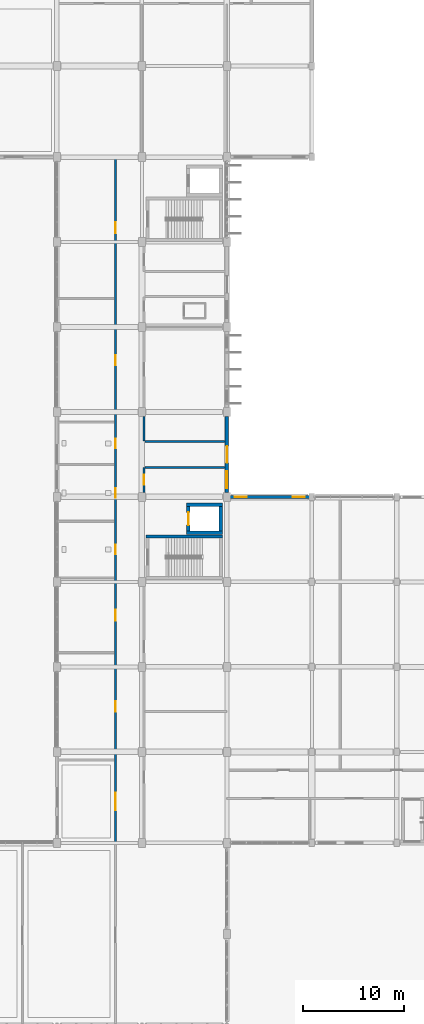
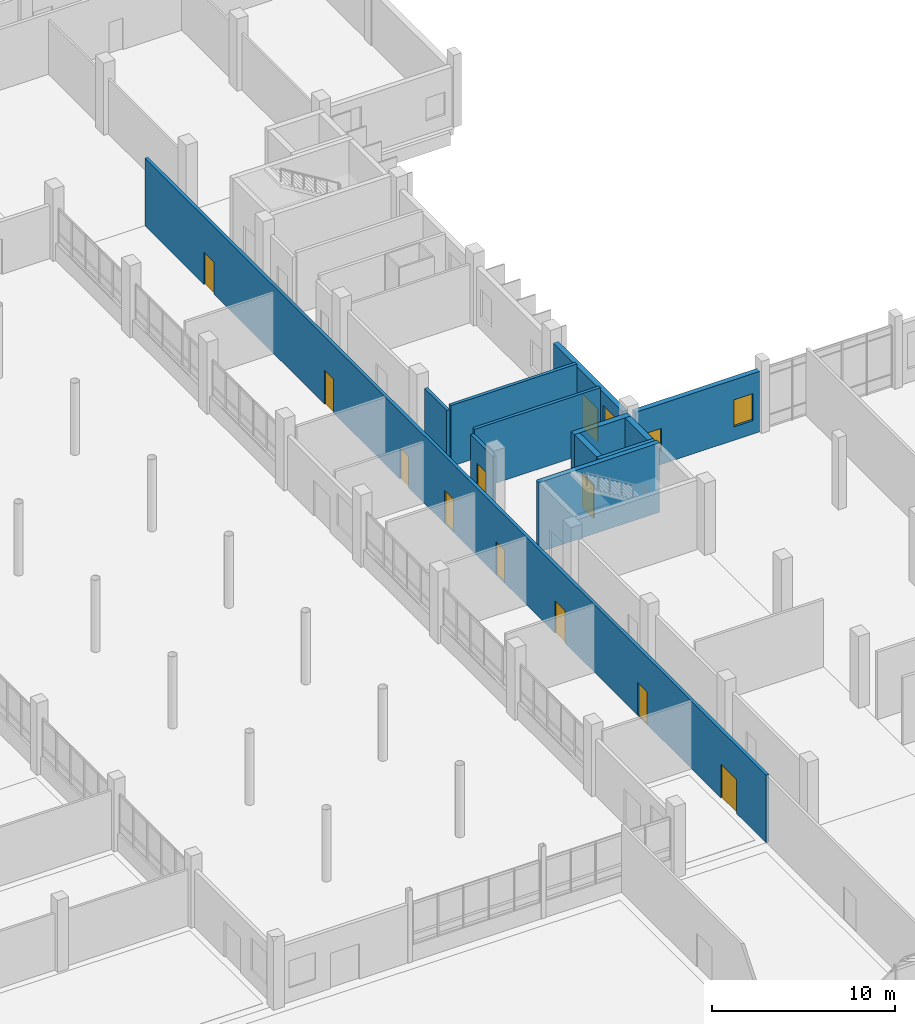
# One storey, part 78 of 95: 12 walls, 11 doors, 3 windows, 14 openings.
"""IFC4 building model written with IfcOpenShell, lengths in metres."""

from ifc_helpers import new_model, si_unit, direction, frame, frame_2d, origin, place, context, subcontext, project, spatial, rectangle, extrude, material, layer, layer_set, type_object, element, fill, save


model = new_model("IFC4")

# Units and contexts
model_context = context("Model", 3, precision=1e-05, world=origin(), true_north=direction((0.0, 1.0)))
body_context = subcontext(model_context, "Body", "Model", "MODEL_VIEW")
ifc_project = project(units=[si_unit("LENGTHUNIT", "METRE"), si_unit("AREAUNIT", "SQUARE_METRE"), si_unit("VOLUMEUNIT", "CUBIC_METRE"), si_unit("PLANEANGLEUNIT", "RADIAN"), si_unit("MASSUNIT", "GRAM", prefix="KILO")], contexts=[model_context])

# Site, building, storey
site_placement = place(None, origin())
site = spatial("IfcSite", under=ifc_project, at=site_placement, CompositionType="ELEMENT")
building_placement = place(site_placement, origin())
building = spatial("IfcBuilding", under=site, at=building_placement, Name="Vireocrest Preparatory School", CompositionType="ELEMENT")
storey_placement = place(building_placement, origin())
storey = spatial("IfcBuildingStorey", under=building, at=storey_placement, Name="L00", CompositionType="ELEMENT", Elevation=0.0)

# Wall, openings, doors
ifc_material_1 = material(Name="Gypsum board on cold-formed steel studs", Category="steel")
ifc_layer_1 = layer(ifc_material_1, 0.199951171875)
ifc_layer_set_1 = layer_set([ifc_layer_1], Name="Gypsum board on cold-formed steel studs")
wall_type_1 = type_object("IfcWallType", Name="Corridor One-Hour Fire Partition 200", PredefinedType="PARTITIONING", material=ifc_layer_set_1)
wall_1_placement = place(storey_placement, frame((98.199951171875, 18.010009765625, 0.0), z_axis=(0.0, 0.0, 1.0), x_axis=(0.0, 1.0, 0.0)))
wall_1 = element("IfcWall", 1, at=wall_1_placement, inside=storey, type_object=wall_type_1, Name="Interior Partition W06 IW_L00_0097", PredefinedType="PARTITIONING", context=body_context, shape_type="SweptSolid", body=[
    extrude(rectangle(XDim=67.780029296875, YDim=0.199951171875, at=frame_2d((33.89013671875, 0.0))), origin(), (0.0, 0.0, 1.0), 4.5),
])
opening_1_placement = place(wall_1_placement, frame((3.239990234375, 0.0, 0.0)))
opening_1 = element("IfcOpeningElement", 2, at=opening_1_placement, cuts=wall_1, Name="Opening D-L00-ELW01", PredefinedType="OPENING", context=body_context, shape_type="SweptSolid", body=[
    extrude(rectangle(XDim=1.699951171875, YDim=2.25, at=frame_2d((0.85009765625, 1.125))), frame((0.0, 0.10986328125, 0.0), z_axis=(0.0, -1.0, 0.0), x_axis=(1.0, 0.0, 0.0)), (0.0, 0.0, 1.0), 0.219970703125),
])
opening_2_placement = place(wall_1_placement, frame((12.965087890625, 0.0, 0.0)))
opening_2 = element("IfcOpeningElement", 3, at=opening_2_placement, cuts=wall_1, Name="Opening D-L00-ELW02", PredefinedType="OPENING", context=body_context, shape_type="SweptSolid", body=[
    extrude(rectangle(XDim=1.050048828125, YDim=2.199951171875, at=frame_2d((0.52490234375, 1.10009765625))), frame((0.0, 0.10986328125, 0.0), z_axis=(0.0, -1.0, 0.0), x_axis=(1.0, 0.0, 0.0)), (0.0, 0.0, 1.0), 0.219970703125),
])
opening_3_placement = place(wall_1_placement, frame((21.93994140625, 0.0, 0.0)))
opening_3 = element("IfcOpeningElement", 4, at=opening_3_placement, cuts=wall_1, Name="Opening D-L00-ELW03", PredefinedType="OPENING", context=body_context, shape_type="SweptSolid", body=[
    extrude(rectangle(XDim=1.10009765625, YDim=2.14990234375, at=frame_2d((0.550048828125, 1.074951171875))), frame((0.0, 0.10986328125, 0.0), z_axis=(0.0, -1.0, 0.0), x_axis=(1.0, 0.0, 0.0)), (0.0, 0.0, 1.0), 0.219970703125),
])
opening_4_placement = place(wall_1_placement, frame((28.514892578125, 0.0, 0.0)))
opening_4 = element("IfcOpeningElement", 5, at=opening_4_placement, cuts=wall_1, Name="Opening D-L00-ELW04", PredefinedType="OPENING", context=body_context, shape_type="SweptSolid", body=[
    extrude(rectangle(XDim=0.949951171875, YDim=2.199951171875, at=frame_2d((0.47509765625, 1.10009765625))), frame((0.0, 0.10986328125, 0.0), z_axis=(0.0, -1.0, 0.0), x_axis=(1.0, 0.0, 0.0)), (0.0, 0.0, 1.0), 0.219970703125),
])
opening_5_placement = place(wall_1_placement, frame((34.114990234375, 0.0, 0.0)))
opening_5 = element("IfcOpeningElement", 6, at=opening_5_placement, cuts=wall_1, Name="Opening D-L00-ELW05", PredefinedType="OPENING", context=body_context, shape_type="SweptSolid", body=[
    extrude(rectangle(XDim=0.949951171875, YDim=2.199951171875, at=frame_2d((0.47509765625, 1.10009765625))), frame((0.0, 0.10986328125, 0.0), z_axis=(0.0, -1.0, 0.0), x_axis=(1.0, 0.0, 0.0)), (0.0, 0.0, 1.0), 0.219970703125),
])
opening_6_placement = place(wall_1_placement, frame((39.014892578125, 0.0, 0.0)))
opening_6 = element("IfcOpeningElement", 7, at=opening_6_placement, cuts=wall_1, Name="Opening D-L00-ELW06", PredefinedType="OPENING", context=body_context, shape_type="SweptSolid", body=[
    extrude(rectangle(XDim=0.949951171875, YDim=2.10009765625, at=frame_2d((0.47509765625, 1.050048828125))), frame((0.0, 0.10986328125, 0.0), z_axis=(0.0, -1.0, 0.0), x_axis=(1.0, 0.0, 0.0)), (0.0, 0.0, 1.0), 0.219970703125),
])
opening_7_placement = place(wall_1_placement, frame((47.18994140625, 0.0, 0.0)))
opening_7 = element("IfcOpeningElement", 8, at=opening_7_placement, cuts=wall_1, Name="Opening D-L00-ELW07", PredefinedType="OPENING", context=body_context, shape_type="SweptSolid", body=[
    extrude(rectangle(XDim=1.0, YDim=2.25, at=frame_2d((0.5, 1.125))), frame((0.0, 0.10986328125, 0.0), z_axis=(0.0, -1.0, 0.0), x_axis=(1.0, 0.0, 0.0)), (0.0, 0.0, 1.0), 0.219970703125),
])
opening_8_placement = place(wall_1_placement, frame((60.239990234375, 0.0, 0.0)))
opening_8 = element("IfcOpeningElement", 9, at=opening_8_placement, cuts=wall_1, Name="Opening D-L00-ELW08", PredefinedType="OPENING", context=body_context, shape_type="SweptSolid", body=[
    extrude(rectangle(XDim=1.10009765625, YDim=2.14990234375, at=frame_2d((0.550048828125, 1.074951171875))), frame((0.0, 0.10986328125, 0.0), z_axis=(0.0, -1.0, 0.0), x_axis=(1.0, 0.0, 0.0)), (0.0, 0.0, 1.0), 0.219970703125),
])
ifc_material_2 = material(Name="Solid-core architectural birch timber", Category="wood")
door_type_1 = type_object("IfcDoorType", Name="Accessible WC Timber Door 950x2100", OperationType="NOTDEFINED", PredefinedType="DOOR", material=ifc_material_2)
door_1_placement = place(opening_6_placement, origin())
door_1 = element("IfcDoor", 10, at=door_1_placement, inside=storey, type_object=door_type_1, Name="Interior Door D-L00-ELW06", OperationType="SINGLE_SWING_RIGHT", OverallHeight=2.10009765625, OverallWidth=0.949951171875, PredefinedType="DOOR", context=body_context, shape_type="SweptSolid", body=[
    extrude(rectangle(XDim=0.949951171875, YDim=2.10009765625, at=frame_2d((0.47509765625, 1.050048828125))), frame((0.0, 0.02490234375, 0.0), z_axis=(0.0, -1.0, 0.0), x_axis=(1.0, 0.0, 0.0)), (0.0, 0.0, 1.0), 0.050048828125),
])
fill(opening_6, door_1)
ifc_material_3 = material(Name="Painted galvanized hollow steel", Category="steel")
door_type_2 = type_object("IfcDoorType", Name="Corridor Cross-Fire Double Door 1700x2250", OperationType="DOUBLE_DOOR_SINGLE_SWING", PredefinedType="DOOR", material=ifc_material_3)
door_2_placement = place(opening_1_placement, origin())
door_2 = element("IfcDoor", 11, at=door_2_placement, inside=storey, type_object=door_type_2, Name="Interior Door D-L00-ELW01", OperationType="DOUBLE_DOOR_SINGLE_SWING", OverallHeight=2.25, OverallWidth=1.699951171875, PredefinedType="DOOR", context=body_context, shape_type="SweptSolid", body=[
    extrude(rectangle(XDim=1.699951171875, YDim=2.25, at=frame_2d((0.85009765625, 1.125))), frame((0.0, 0.02490234375, 0.0), z_axis=(0.0, -1.0, 0.0), x_axis=(1.0, 0.0, 0.0)), (0.0, 0.0, 1.0), 0.050048828125),
])
fill(opening_1, door_2)
door_type_3 = type_object("IfcDoorType", Name="Laboratory Fire Door 1050x2200", OperationType="NOTDEFINED", PredefinedType="DOOR", material=ifc_material_3)
door_3_placement = place(opening_2_placement, origin())
door_3 = element("IfcDoor", 12, at=door_3_placement, inside=storey, type_object=door_type_3, Name="Interior Door D-L00-ELW02", OperationType="SINGLE_SWING_RIGHT", OverallHeight=2.199951171875, OverallWidth=1.050048828125, PredefinedType="DOOR", context=body_context, shape_type="SweptSolid", body=[
    extrude(rectangle(XDim=1.050048828125, YDim=2.199951171875, at=frame_2d((0.52490234375, 1.10009765625))), frame((0.0, 0.02490234375, 0.0), z_axis=(0.0, -1.0, 0.0), x_axis=(1.0, 0.0, 0.0)), (0.0, 0.0, 1.0), 0.050048828125),
])
fill(opening_2, door_3)
door_type_4 = type_object("IfcDoorType", Name="Prep and Store Fire Door 1100x2150", OperationType="NOTDEFINED", PredefinedType="DOOR", material=ifc_material_3)
door_4_placement = place(opening_3_placement, origin())
door_4 = element("IfcDoor", 13, at=door_4_placement, inside=storey, type_object=door_type_4, Name="Interior Door D-L00-ELW03", OperationType="SINGLE_SWING_LEFT", OverallHeight=2.14990234375, OverallWidth=1.10009765625, PredefinedType="DOOR", context=body_context, shape_type="SweptSolid", body=[
    extrude(rectangle(XDim=1.10009765625, YDim=2.14990234375, at=frame_2d((0.550048828125, 1.074951171875))), frame((0.0, 0.02490234375, 0.0), z_axis=(0.0, -1.0, 0.0), x_axis=(1.0, 0.0, 0.0)), (0.0, 0.0, 1.0), 0.050048828125),
])
fill(opening_3, door_4)
door_5_placement = place(opening_8_placement, origin())
door_5 = element("IfcDoor", 14, at=door_5_placement, inside=storey, type_object=door_type_4, Name="Interior Door D-L00-ELW08", OperationType="SINGLE_SWING_RIGHT", OverallHeight=2.14990234375, OverallWidth=1.10009765625, PredefinedType="DOOR", context=body_context, shape_type="SweptSolid", body=[
    extrude(rectangle(XDim=1.10009765625, YDim=2.14990234375, at=frame_2d((0.550048828125, 1.074951171875))), frame((0.0, 0.02490234375, 0.0), z_axis=(0.0, -1.0, 0.0), x_axis=(1.0, 0.0, 0.0)), (0.0, 0.0, 1.0), 0.050048828125),
])
fill(opening_8, door_5)
door_type_5 = type_object("IfcDoorType", Name="Seminar Room Timber Door 1000x2250", OperationType="NOTDEFINED", PredefinedType="DOOR", material=ifc_material_2)
door_6_placement = place(opening_7_placement, origin())
door_6 = element("IfcDoor", 15, at=door_6_placement, inside=storey, type_object=door_type_5, Name="Interior Door D-L00-ELW07", OperationType="SINGLE_SWING_LEFT", OverallHeight=2.25, OverallWidth=1.0, PredefinedType="DOOR", context=body_context, shape_type="SweptSolid", body=[
    extrude(rectangle(XDim=1.0, YDim=2.25, at=frame_2d((0.5, 1.125))), frame((0.0, 0.02490234375, 0.0), z_axis=(0.0, -1.0, 0.0), x_axis=(1.0, 0.0, 0.0)), (0.0, 0.0, 1.0), 0.050048828125),
])
fill(opening_7, door_6)
door_type_6 = type_object("IfcDoorType", Name="Student Washroom Door 950x2200", OperationType="NOTDEFINED", PredefinedType="DOOR", material=ifc_material_2)
door_7_placement = place(opening_4_placement, origin())
door_7 = element("IfcDoor", 16, at=door_7_placement, inside=storey, type_object=door_type_6, Name="Interior Door D-L00-ELW04", OperationType="SINGLE_SWING_RIGHT", OverallHeight=2.199951171875, OverallWidth=0.949951171875, PredefinedType="DOOR", context=body_context, shape_type="SweptSolid", body=[
    extrude(rectangle(XDim=0.949951171875, YDim=2.199951171875, at=frame_2d((0.47509765625, 1.10009765625))), frame((0.0, 0.02490234375, 0.0), z_axis=(0.0, -1.0, 0.0), x_axis=(1.0, 0.0, 0.0)), (0.0, 0.0, 1.0), 0.050048828125),
])
fill(opening_4, door_7)
door_8_placement = place(opening_5_placement, origin())
door_8 = element("IfcDoor", 17, at=door_8_placement, inside=storey, type_object=door_type_6, Name="Interior Door D-L00-ELW05", OperationType="SINGLE_SWING_LEFT", OverallHeight=2.199951171875, OverallWidth=0.949951171875, PredefinedType="DOOR", context=body_context, shape_type="SweptSolid", body=[
    extrude(rectangle(XDim=0.949951171875, YDim=2.199951171875, at=frame_2d((0.47509765625, 1.10009765625))), frame((0.0, 0.02490234375, 0.0), z_axis=(0.0, -1.0, 0.0), x_axis=(1.0, 0.0, 0.0)), (0.0, 0.0, 1.0), 0.050048828125),
])
fill(opening_5, door_8)

# Wall, opening, door
wall_2_placement = place(storey_placement, frame((101.0, 52.659912109375, 0.0), z_axis=(0.0, 0.0, 1.0), x_axis=(0.0, 1.0, 0.0)))
wall_2 = element("IfcWall", 18, at=wall_2_placement, inside=storey, type_object=wall_type_1, Name="Interior Partition W06 IW_L00_0102", PredefinedType="PARTITIONING", context=body_context, shape_type="SweptSolid", body=[
    extrude(rectangle(XDim=2.43017578125, YDim=0.199951171875, at=frame_2d((1.215087890625, 0.0))), origin(), (0.0, 0.0, 1.0), 3.739990234375),
])
opening_9_placement = place(wall_2_placement, frame((0.739990234375, 0.0, 0.0)))
opening_9 = element("IfcOpeningElement", 19, at=opening_9_placement, cuts=wall_2, Name="Opening D-L00-ELES01", PredefinedType="OPENING", context=body_context, shape_type="SweptSolid", body=[
    extrude(rectangle(XDim=1.0, YDim=2.25, at=frame_2d((0.5, 1.125))), frame((0.0, 0.10986328125, 0.0), z_axis=(0.0, -1.0, 0.0), x_axis=(1.0, 0.0, 0.0)), (0.0, 0.0, 1.0), 0.219970703125),
])
door_9_placement = place(opening_9_placement, origin())
door_9 = element("IfcDoor", 20, at=door_9_placement, inside=storey, type_object=door_type_5, Name="Interior Door D-L00-ELES01", OperationType="SINGLE_SWING_LEFT", OverallHeight=2.25, OverallWidth=1.0, PredefinedType="DOOR", context=body_context, shape_type="SweptSolid", body=[
    extrude(rectangle(XDim=1.0, YDim=2.25, at=frame_2d((0.5, 1.125))), frame((0.0, 0.02490234375, 0.0), z_axis=(0.0, -1.0, 0.0), x_axis=(1.0, 0.0, 0.0)), (0.0, 0.0, 1.0), 0.050048828125),
])
fill(opening_9, door_9)

# Walls
for number, where, z_axis, x_axis, name in (
    (21, (101.10498046875, 55.10009765625, 0.0), (0.0, 0.0, 1.0), (1.0, 0.0, 0.0), "Interior Partition W06 IW_L00_0103"),
    (22, (101.10498046875, 57.699951171875, 0.0), (0.0, 0.0, 1.0), (1.0, 0.0, 0.0), "Interior Partition W06 IW_L00_0104"),
):
    element("IfcWall", number, at=place(storey_placement, frame(where, z_axis=z_axis, x_axis=x_axis)), inside=storey, type_object=wall_type_1, Name=name, PredefinedType="PARTITIONING", context=body_context, shape_type="SweptSolid", body=[
        extrude(rectangle(XDim=7.929931640625, YDim=0.199951171875, at=frame_2d((3.96484375, 0.0))), origin(), (0.0, 0.0, 1.0), 4.06005859375),
    ])
wall_3_placement = place(storey_placement, frame((101.0, 57.7099609375, 0.0), z_axis=(0.0, 0.0, 1.0), x_axis=(0.0, 1.0, 0.0)))
element("IfcWall", 23, at=wall_3_placement, inside=storey, type_object=wall_type_1, Name="Interior Partition W06 IW_L00_0106", PredefinedType="PARTITIONING", context=body_context, shape_type="SweptSolid", body=[
    extrude(rectangle(XDim=2.429931640625, YDim=0.199951171875, at=frame_2d((1.21484375, 0.0))), origin(), (0.0, 0.0, 1.0), 3.739990234375),
])

# Wall, openings, windows
ifc_material_4 = material(Name="Precast white concrete 40 MPa", Category="concrete")
ifc_layer_2 = layer(ifc_material_4, 0.320068359375)
ifc_layer_set_2 = layer_set([ifc_layer_2], Name="Precast white concrete 40 MPa")
wall_type_2 = type_object("IfcWallType", Name="High-Tech Insulated Rainscreen External Wall 320", PredefinedType="SOLIDWALL", material=ifc_layer_set_2)
wall_4_placement = place(storey_placement, frame((109.52490234375, 52.199951171875, 0.0), z_axis=(0.0, 0.0, 1.0), x_axis=(1.0, 0.0, 0.0)))
wall_4 = element("IfcWall", 24, at=wall_4_placement, inside=storey, type_object=wall_type_2, Name="External Wall W12 EW_L00_0061", PredefinedType="SOLIDWALL", context=body_context, shape_type="SweptSolid", body=[
    extrude(rectangle(XDim=7.85009765625, YDim=0.320068359375, at=frame_2d((3.925048828125, 0.0))), origin(), (0.0, 0.0, 1.0), 4.030029296875),
])
opening_10_placement = place(wall_4_placement, frame((0.449951171875, 0.0, 0.89990234375)))
opening_10 = element("IfcOpeningElement", 25, at=opening_10_placement, cuts=wall_4, Name="Opening WN01", PredefinedType="OPENING", context=body_context, shape_type="SweptSolid", body=[
    extrude(rectangle(XDim=1.199951171875, YDim=1.5, at=frame_2d((0.60009765625, 0.75))), frame((0.0, 0.169921875, 0.0), z_axis=(0.0, -1.0, 0.0), x_axis=(1.0, 0.0, 0.0)), (0.0, 0.0, 1.0), 0.340087890625),
])
opening_11_placement = place(wall_4_placement, frame((6.199951171875, 0.0, 0.89990234375)))
opening_11 = element("IfcOpeningElement", 26, at=opening_11_placement, cuts=wall_4, Name="Opening WN02", PredefinedType="OPENING", context=body_context, shape_type="SweptSolid", body=[
    extrude(rectangle(XDim=1.199951171875, YDim=1.800048828125, at=frame_2d((0.60009765625, 0.89990234375))), frame((0.0, 0.169921875, 0.0), z_axis=(0.0, -1.0, 0.0), x_axis=(1.0, 0.0, 0.0)), (0.0, 0.0, 1.0), 0.340087890625),
])
ifc_material_5 = material(Name="Thermally broken aluminium EN AW-6063-T6", Category="aluminium")
window_type_1 = type_object("IfcWindowType", Name="Counseling Window 1200x1800", PartitioningType="SINGLE_PANEL", PredefinedType="WINDOW", material=ifc_material_5)
window_1_placement = place(opening_11_placement, origin())
window_1 = element("IfcWindow", 27, at=window_1_placement, inside=storey, type_object=window_type_1, Name="Window W-L00-004 (WN02)", OverallHeight=1.800048828125, OverallWidth=1.199951171875, PartitioningType="SINGLE_PANEL", PredefinedType="WINDOW", context=body_context, shape_type="SweptSolid", body=[
    extrude(rectangle(XDim=1.199951171875, YDim=1.800048828125, at=frame_2d((0.60009765625, 0.89990234375))), frame((0.0, 0.030029296875, 0.0), z_axis=(0.0, -1.0, 0.0), x_axis=(1.0, 0.0, 0.0)), (0.0, 0.0, 1.0), 0.06005859375),
])
fill(opening_11, window_1)
window_type_2 = type_object("IfcWindowType", Name="Office Punched Window 1200x1500", PartitioningType="SINGLE_PANEL", PredefinedType="WINDOW", material=ifc_material_5)
window_2_placement = place(opening_10_placement, origin())
window_2 = element("IfcWindow", 28, at=window_2_placement, inside=storey, type_object=window_type_2, Name="Window W-L00-003 (WN01)", OverallHeight=1.5, OverallWidth=1.199951171875, PartitioningType="SINGLE_PANEL", PredefinedType="WINDOW", context=body_context, shape_type="SweptSolid", body=[
    extrude(rectangle(XDim=1.199951171875, YDim=1.5, at=frame_2d((0.60009765625, 0.75))), frame((0.0, 0.030029296875, 0.0), z_axis=(0.0, -1.0, 0.0), x_axis=(1.0, 0.0, 0.0)), (0.0, 0.0, 1.0), 0.06005859375),
])
fill(opening_10, window_2)

# Wall, openings, window, door
wall_5_placement = place(storey_placement, frame((109.199951171875, 52.625, 0.0), z_axis=(0.0, 0.0, 1.0), x_axis=(0.0, 1.0, 0.0)))
wall_5 = element("IfcWall", 29, at=wall_5_placement, inside=storey, type_object=wall_type_2, Name="External Wall W12 EW_L00_0065", PredefinedType="SOLIDWALL", context=body_context, shape_type="SweptSolid", body=[
    extrude(rectangle(XDim=7.550048828125, YDim=0.320068359375, at=frame_2d((3.77490234375, 0.0))), origin(), (0.0, 0.0, 1.0), 3.889892578125),
])
opening_12_placement = place(wall_5_placement, frame((4.599853515625, 0.0, 0.0), z_axis=(0.0, 0.0, 1.0), x_axis=(-1.0, 0.0, 0.0)))
opening_12 = element("IfcOpeningElement", 30, at=opening_12_placement, cuts=wall_5, Name="Opening ED2", PredefinedType="OPENING", context=body_context, shape_type="SweptSolid", body=[
    extrude(rectangle(XDim=1.64990234375, YDim=2.25, at=frame_2d((0.824951171875, 1.125))), frame((0.0, 0.169921875, 0.0), z_axis=(0.0, -1.0, 0.0), x_axis=(1.0, 0.0, 0.0)), (0.0, 0.0, 1.0), 0.340087890625),
])
opening_13_placement = place(wall_5_placement, frame((0.449951171875, 0.0, 0.949951171875)))
opening_13 = element("IfcOpeningElement", 31, at=opening_13_placement, cuts=wall_5, Name="Opening WN06", PredefinedType="OPENING", context=body_context, shape_type="SweptSolid", body=[
    extrude(rectangle(XDim=1.679931640625, YDim=2.10009765625, at=frame_2d((0.83984375, 1.050048828125))), frame((0.0, 0.169921875, 0.0), z_axis=(0.0, -1.0, 0.0), x_axis=(1.0, 0.0, 0.0)), (0.0, 0.0, 1.0), 0.340087890625),
])
window_type_3 = type_object("IfcWindowType", Name="Module Classroom Tall Window 1680x2100", PartitioningType="SINGLE_PANEL", PredefinedType="WINDOW", material=ifc_material_5)
window_3_placement = place(opening_13_placement, origin())
window_3 = element("IfcWindow", 32, at=window_3_placement, inside=storey, type_object=window_type_3, Name="Window W-L00-007 (WN06)", OverallHeight=2.10009765625, OverallWidth=1.679931640625, PartitioningType="SINGLE_PANEL", PredefinedType="WINDOW", context=body_context, shape_type="SweptSolid", body=[
    extrude(rectangle(XDim=1.679931640625, YDim=2.10009765625, at=frame_2d((0.83984375, 1.050048828125))), frame((0.0, 0.030029296875, 0.0), z_axis=(0.0, -1.0, 0.0), x_axis=(1.0, 0.0, 0.0)), (0.0, 0.0, 1.0), 0.06005859375),
])
fill(opening_13, window_3)
door_type_7 = type_object("IfcDoorType", Name="Stair Discharge Exterior Fire Exit Door 1650x2250", OperationType="DOUBLE_DOOR_SINGLE_SWING", PredefinedType="DOOR", material=ifc_material_3)
door_10_placement = place(opening_12_placement, origin())
door_10 = element("IfcDoor", 33, at=door_10_placement, inside=storey, type_object=door_type_7, Name="Final Exit ED2 East Science Exit", OperationType="DOUBLE_DOOR_SINGLE_SWING", OverallHeight=2.25, OverallWidth=1.64990234375, PredefinedType="DOOR", context=body_context, shape_type="SweptSolid", body=[
    extrude(rectangle(XDim=1.64990234375, YDim=2.25, at=frame_2d((0.824951171875, 1.125))), frame((0.0, 0.02490234375, 0.0), z_axis=(0.0, -1.0, 0.0), x_axis=(1.0, 0.0, 0.0)), (0.0, 0.0, 1.0), 0.050048828125),
])
fill(opening_12, door_10)

# Walls
ifc_material_6 = material(Name="Concrete 45 MPa", Category="concrete")
ifc_layer_3 = layer(ifc_material_6, 0.35009765625)
ifc_layer_set_3 = layer_set([ifc_layer_3], Name="Concrete 45 MPa")
wall_type_3 = type_object("IfcWallType", Name="Two-Hour RC Lift Core Shear Wall 350", PredefinedType="SHEAR", material=ifc_layer_set_3)
for number, where, z_axis, x_axis, name in (
    (34, (105.22509765625, 48.64990234375, 0.0), (0.0, 0.0, 1.0), (1.0, 0.0, 0.0), "Lift Core Shear Wall LF2 L00-S"),
    (35, (105.22509765625, 51.449951171875, 0.0), (0.0, 0.0, 1.0), (1.0, 0.0, 0.0), "Lift Core Shear Wall LF2 L00-N"),
):
    element("IfcWall", number, at=place(storey_placement, frame(where, z_axis=z_axis, x_axis=x_axis)), inside=storey, type_object=wall_type_3, Name=name, PredefinedType="SHEAR", context=body_context, shape_type="SweptSolid", body=[
        extrude(rectangle(XDim=3.5498046875, YDim=0.35009765625, at=frame_2d((1.77490234375, 0.0))), origin(), (0.0, 0.0, 1.0), 4.52001953125),
    ])

# Wall, opening, door
wall_6_placement = place(storey_placement, frame((105.39990234375, 48.824951171875, 0.0), z_axis=(0.0, 0.0, 1.0), x_axis=(0.0, 1.0, 0.0)))
wall_6 = element("IfcWall", 36, at=wall_6_placement, inside=storey, type_object=wall_type_3, Name="Lift Core Shear Wall LF2 L00-W", PredefinedType="SHEAR", context=body_context, shape_type="SweptSolid", body=[
    extrude(rectangle(XDim=2.449951171875, YDim=0.35009765625, at=frame_2d((1.22509765625, 0.0))), origin(), (0.0, 0.0, 1.0), 4.52001953125),
])
opening_14_placement = place(wall_6_placement, frame((0.60009765625, 0.0, 0.0)))
opening_14 = element("IfcOpeningElement", 37, at=opening_14_placement, cuts=wall_6, Name="Opening LD-LF2-L00", PredefinedType="OPENING", context=body_context, shape_type="SweptSolid", body=[
    extrude(rectangle(XDim=1.25, YDim=2.25, at=frame_2d((0.625, 1.125))), frame((0.0, 0.18505859375, 0.0), z_axis=(0.0, -1.0, 0.0), x_axis=(1.0, 0.0, 0.0)), (0.0, 0.0, 1.0), 0.3701171875),
])
door_type_8 = type_object("IfcDoorType", Name="Stretcher Lift Landing Sliding Door 1250x2250", OperationType="DOUBLE_DOOR_SLIDING", PredefinedType="DOOR", material=ifc_material_3)
door_11_placement = place(opening_14_placement, origin())
door_11 = element("IfcDoor", 38, at=door_11_placement, inside=storey, type_object=door_type_8, Name="Lift Landing Door LD-LF2-L00", OperationType="DOUBLE_DOOR_SLIDING", OverallHeight=2.25, OverallWidth=1.25, PredefinedType="DOOR", context=body_context, shape_type="SweptSolid", body=[
    extrude(rectangle(XDim=1.25, YDim=2.25, at=frame_2d((0.625, 1.125))), frame((0.0, 0.02490234375, 0.0), z_axis=(0.0, -1.0, 0.0), x_axis=(1.0, 0.0, 0.0)), (0.0, 0.0, 1.0), 0.050048828125),
])
fill(opening_14, door_11)

# Walls
wall_7_placement = place(storey_placement, frame((108.60009765625, 48.824951171875, 0.0), z_axis=(0.0, 0.0, 1.0), x_axis=(0.0, 1.0, 0.0)))
element("IfcWall", 39, at=wall_7_placement, inside=storey, type_object=wall_type_3, Name="Lift Core Shear Wall LF2 L00-E", PredefinedType="SHEAR", context=body_context, shape_type="SweptSolid", body=[
    extrude(rectangle(XDim=2.449951171875, YDim=0.35009765625, at=frame_2d((1.22509765625, 0.0))), origin(), (0.0, 0.0, 1.0), 4.52001953125),
])
ifc_layer_4 = layer(ifc_material_6, 0.300048828125)
ifc_layer_set_4 = layer_set([ifc_layer_4], Name="Concrete 45 MPa")
wall_type_4 = type_object("IfcWallType", Name="Two-Hour RC Stair Shaft Shear Wall 300", PredefinedType="SHEAR", material=ifc_layer_set_4)
wall_8_placement = place(storey_placement, frame((101.199951171875, 48.300048828125, 0.0), z_axis=(0.0, 0.0, 1.0), x_axis=(1.0, 0.0, 0.0)))
element("IfcWall", 40, at=wall_8_placement, inside=storey, type_object=wall_type_4, Name="Stair Core Shear Wall ST2 L00-N", PredefinedType="SHEAR", context=body_context, shape_type="SweptSolid", body=[
    extrude(rectangle(XDim=7.60009765625, YDim=0.300048828125, at=frame_2d((3.800048828125, 0.0))), origin(), (0.0, 0.0, 1.0), 4.625),
])

save(model, "model.ifc")
